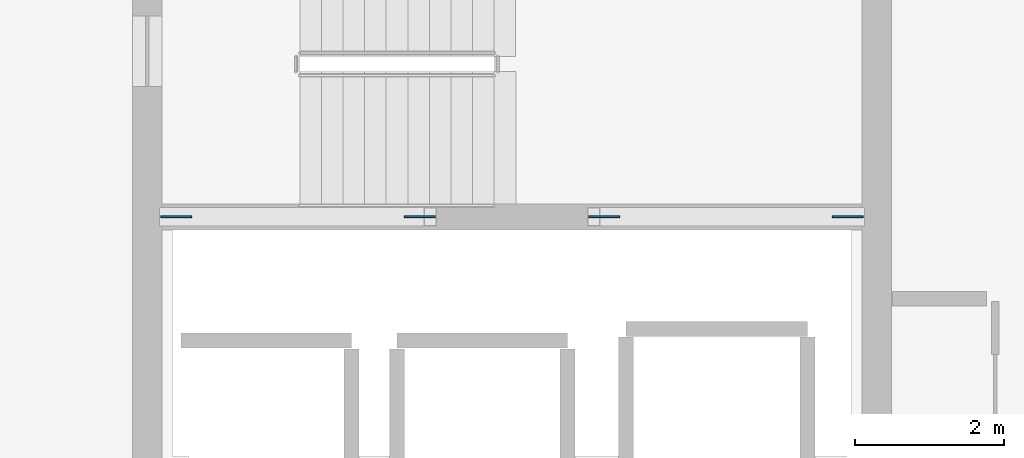
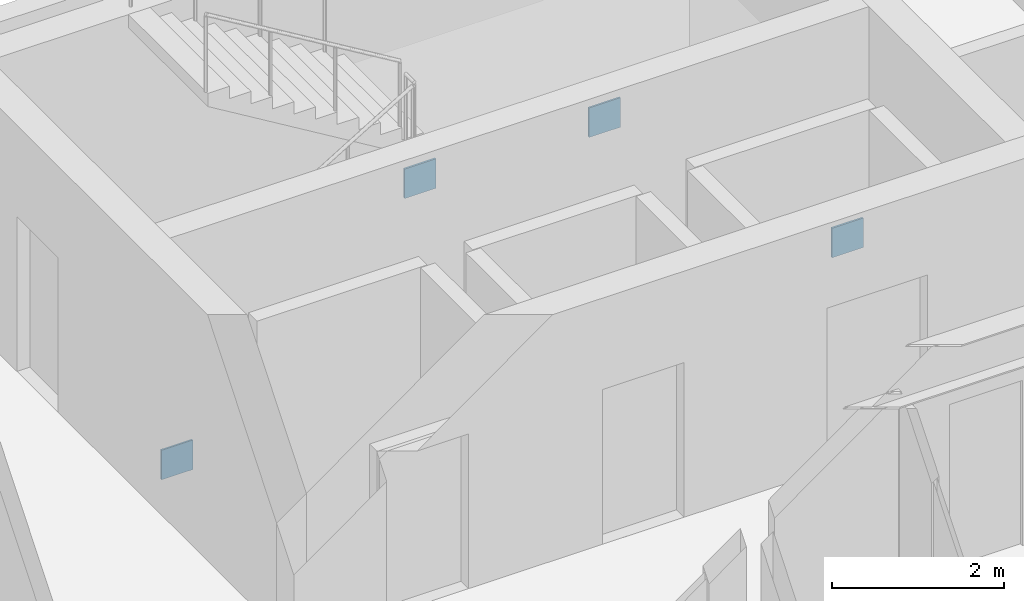
# One storey, part 6 of 19: 4 plates.
"""IFC4 building model written with IfcOpenShell, lengths in metres."""

from ifc_helpers import new_model, si_unit, direction, frame, origin, origin_2d, place, context, subcontext, project, spatial, rectangle, extrude, material, layer, layer_set, type_object, element, save


model = new_model("IFC4")

# Units and contexts
model_context = context("Model", 3, precision=1e-05, world=origin(), true_north=direction((0.0, 1.0)))
body_context = subcontext(model_context, "Body", "Model", "MODEL_VIEW")
ifc_project = project(units=[si_unit("LENGTHUNIT", "METRE"), si_unit("AREAUNIT", "SQUARE_METRE"), si_unit("VOLUMEUNIT", "CUBIC_METRE"), si_unit("PLANEANGLEUNIT", "RADIAN"), si_unit("MASSUNIT", "GRAM", prefix="KILO")], contexts=[model_context])

# Site, building, storey
site_placement = place(None, origin())
site = spatial("IfcSite", under=ifc_project, at=site_placement, CompositionType="ELEMENT")
building_placement = place(site_placement, origin())
building = spatial("IfcBuilding", under=site, at=building_placement, Name="Sollismere Congress Hotel", CompositionType="ELEMENT")
storey_placement = place(building_placement, frame((0.0, 0.0, 34.10009765625)))
storey = spatial("IfcBuildingStorey", under=building, at=storey_placement, Name="L08", CompositionType="ELEMENT", Elevation=34.10009765625)

# Plates
ifc_material = material(Name="Steel ASTM A572 Grade 50", Category="steel")
ifc_layer = layer(ifc_material, 0.02490234375, Name="Steel ASTM A572 Grade 50")
ifc_layer_set = layer_set([ifc_layer], Name="Steel ASTM A572 Grade 50")
plate_type = type_object("IfcPlateType", Name="PL-GS25", PredefinedType="USERDEFINED", material=ifc_layer_set)
for number, where, z_axis, x_axis, name in (
    (1, (94.18994140625, 14.35009765625, -0.030029296875), (0.0, 0.0, 1.0), (1.0, 0.0, 0.0), "PLT-GBF-BF-017-A"),
    (2, (97.4599609375, 14.35009765625, 2.824951171875), (0.0, 0.0, 1.0), (1.0, 0.0, 0.0), "PLT-GBF-BF-017-B"),
    (3, (103.2099609375, 14.35009765625, -0.030029296875), (0.0, 0.0, 1.0), (1.0, 0.0, 0.0), "PLT-GBF-BF-018-A"),
    (4, (99.93994140625, 14.35009765625, 2.824951171875), (0.0, 0.0, 1.0), (1.0, 0.0, 0.0), "PLT-GBF-BF-018-B"),
):
    element("IfcPlate", number, at=place(storey_placement, frame(where, z_axis=z_axis, x_axis=x_axis)), inside=storey, type_object=plate_type, Name=name, ObjectType="GUSSET PLATE", PredefinedType="USERDEFINED", context=body_context, shape_type="SweptSolid", body=[
        extrude(rectangle(XDim=0.419921875, YDim=0.02490234375, at=origin_2d()), origin(), (0.0, 0.0, 1.0), 0.419921875),
    ])

save(model, "model.ifc")
